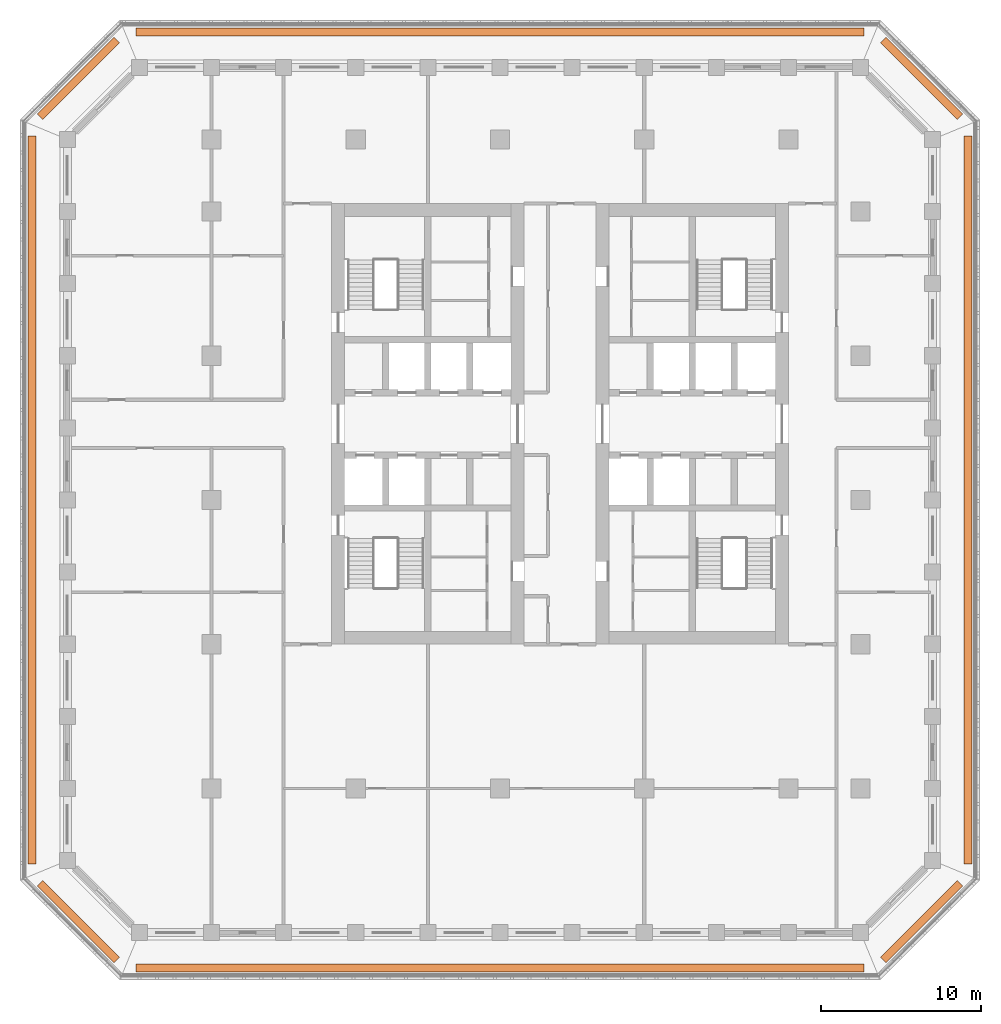
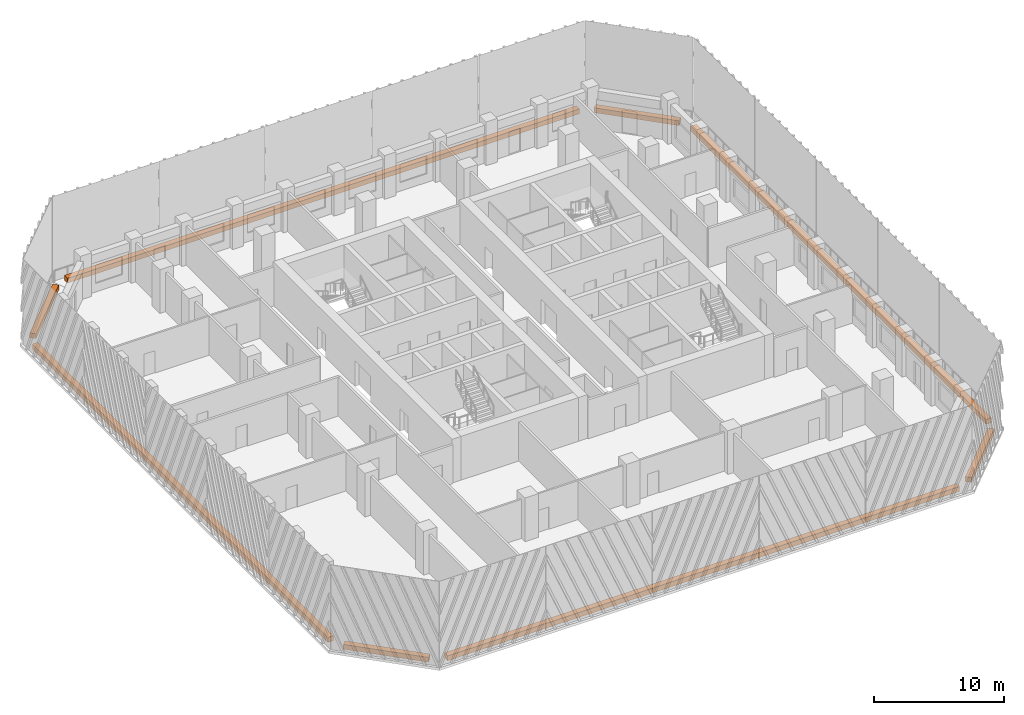
# One storey, part 16 of 16: 8 proxies.
"""IFC4 building model written with IfcOpenShell, lengths in metres."""

from ifc_helpers import new_model, si_unit, direction, frame, origin, origin_2d, place, context, subcontext, project, spatial, rectangle, extrude, material, type_object, element, save


model = new_model("IFC4")

# Units and contexts
model_context = context("Model", 3, precision=1e-05, world=origin(), true_north=direction((0.0, 1.0)))
body_context = subcontext(model_context, "Body", "Model", "MODEL_VIEW")
ifc_project = project(units=[si_unit("LENGTHUNIT", "METRE"), si_unit("AREAUNIT", "SQUARE_METRE"), si_unit("VOLUMEUNIT", "CUBIC_METRE"), si_unit("PLANEANGLEUNIT", "RADIAN"), si_unit("MASSUNIT", "GRAM", prefix="KILO")], contexts=[model_context])

# Site, building, storey
site_placement = place(None, origin())
site = spatial("IfcSite", under=ifc_project, at=site_placement, CompositionType="ELEMENT")
building_placement = place(site_placement, origin())
building = spatial("IfcBuilding", under=site, at=building_placement, Name="Corbel Stack Research Tower", CompositionType="ELEMENT")
storey_placement = place(building_placement, frame((0.0, 0.0, 165.0)))
storey = spatial("IfcBuildingStorey", under=building, at=storey_placement, Name="L37", CompositionType="ELEMENT", Elevation=165.0)

# Proxies
ifc_material = material(Name="Concrete C45/55", Category="concrete")
building_element_proxy_type = type_object("IfcBuildingElementProxyType", Name="Planter box", PredefinedType="USERDEFINED", material=ifc_material)
proxy_1_placement = place(storey_placement, frame((0.0, -29.199951171875, 0.0), z_axis=(0.0, 0.0, 1.0), x_axis=(1.0, 0.0, 0.0)))
element("IfcBuildingElementProxy", 1, at=proxy_1_placement, inside=storey, type_object=building_element_proxy_type, Name="Planter L37 S", ObjectType="PLANTER", PredefinedType="USERDEFINED", context=body_context, shape_type="SweptSolid", body=[
    extrude(rectangle(XDim=45.41064453125, YDim=0.5, at=origin_2d()), origin(), (0.0, 0.0, 1.0), 0.449951171875),
])
proxy_2_placement = place(storey_placement, frame((26.3056640625, -26.3056640625, 0.0), z_axis=(0.0, 0.0, 1.0), x_axis=(0.707106781187, 0.707106781187, 0.0)))
element("IfcBuildingElementProxy", 2, at=proxy_2_placement, inside=storey, type_object=building_element_proxy_type, Name="Planter L37 SE", ObjectType="PLANTER", PredefinedType="USERDEFINED", context=body_context, shape_type="SweptSolid", body=[
    extrude(rectangle(XDim=6.774658203125, YDim=0.5, at=origin_2d()), origin(), (0.0, 0.0, 1.0), 0.449951171875),
])
proxy_3_placement = place(storey_placement, frame((29.199951171875, 0.0, 0.0), z_axis=(0.0, 0.0, 1.0), x_axis=(0.0, 1.0, 0.0)))
element("IfcBuildingElementProxy", 3, at=proxy_3_placement, inside=storey, type_object=building_element_proxy_type, Name="Planter L37 E", ObjectType="PLANTER", PredefinedType="USERDEFINED", context=body_context, shape_type="SweptSolid", body=[
    extrude(rectangle(XDim=45.41064453125, YDim=0.5, at=origin_2d()), origin(), (0.0, 0.0, 1.0), 0.449951171875),
])
proxy_4_placement = place(storey_placement, frame((26.3056640625, 26.3056640625, 0.0), z_axis=(0.0, 0.0, 1.0), x_axis=(-0.707106781187, 0.707106781187, 0.0)))
element("IfcBuildingElementProxy", 4, at=proxy_4_placement, inside=storey, type_object=building_element_proxy_type, Name="Planter L37 NE", ObjectType="PLANTER", PredefinedType="USERDEFINED", context=body_context, shape_type="SweptSolid", body=[
    extrude(rectangle(XDim=6.774658203125, YDim=0.5, at=origin_2d()), origin(), (0.0, 0.0, 1.0), 0.449951171875),
])
proxy_5_placement = place(storey_placement, frame((0.0, 29.199951171875, 0.0), z_axis=(0.0, 0.0, 1.0), x_axis=(-1.0, 0.0, 0.0)))
element("IfcBuildingElementProxy", 5, at=proxy_5_placement, inside=storey, type_object=building_element_proxy_type, Name="Planter L37 N", ObjectType="PLANTER", PredefinedType="USERDEFINED", context=body_context, shape_type="SweptSolid", body=[
    extrude(rectangle(XDim=45.41064453125, YDim=0.5, at=origin_2d()), origin(), (0.0, 0.0, 1.0), 0.449951171875),
])
proxy_6_placement = place(storey_placement, frame((-26.3056640625, 26.3056640625, 0.0), z_axis=(0.0, 0.0, 1.0), x_axis=(-0.707106781187, -0.707106781187, 0.0)))
element("IfcBuildingElementProxy", 6, at=proxy_6_placement, inside=storey, type_object=building_element_proxy_type, Name="Planter L37 NW", ObjectType="PLANTER", PredefinedType="USERDEFINED", context=body_context, shape_type="SweptSolid", body=[
    extrude(rectangle(XDim=6.774658203125, YDim=0.5, at=origin_2d()), origin(), (0.0, 0.0, 1.0), 0.449951171875),
])
proxy_7_placement = place(storey_placement, frame((-29.199951171875, 0.0, 0.0), z_axis=(0.0, 0.0, 1.0), x_axis=(0.0, -1.0, 0.0)))
element("IfcBuildingElementProxy", 7, at=proxy_7_placement, inside=storey, type_object=building_element_proxy_type, Name="Planter L37 W", ObjectType="PLANTER", PredefinedType="USERDEFINED", context=body_context, shape_type="SweptSolid", body=[
    extrude(rectangle(XDim=45.41064453125, YDim=0.5, at=origin_2d()), origin(), (0.0, 0.0, 1.0), 0.449951171875),
])
proxy_8_placement = place(storey_placement, frame((-26.3056640625, -26.3056640625, 0.0), z_axis=(0.0, 0.0, 1.0), x_axis=(0.707106781187, -0.707106781187, 0.0)))
element("IfcBuildingElementProxy", 8, at=proxy_8_placement, inside=storey, type_object=building_element_proxy_type, Name="Planter L37 SW", ObjectType="PLANTER", PredefinedType="USERDEFINED", context=body_context, shape_type="SweptSolid", body=[
    extrude(rectangle(XDim=6.774658203125, YDim=0.5, at=origin_2d()), origin(), (0.0, 0.0, 1.0), 0.449951171875),
])

save(model, "model.ifc")
